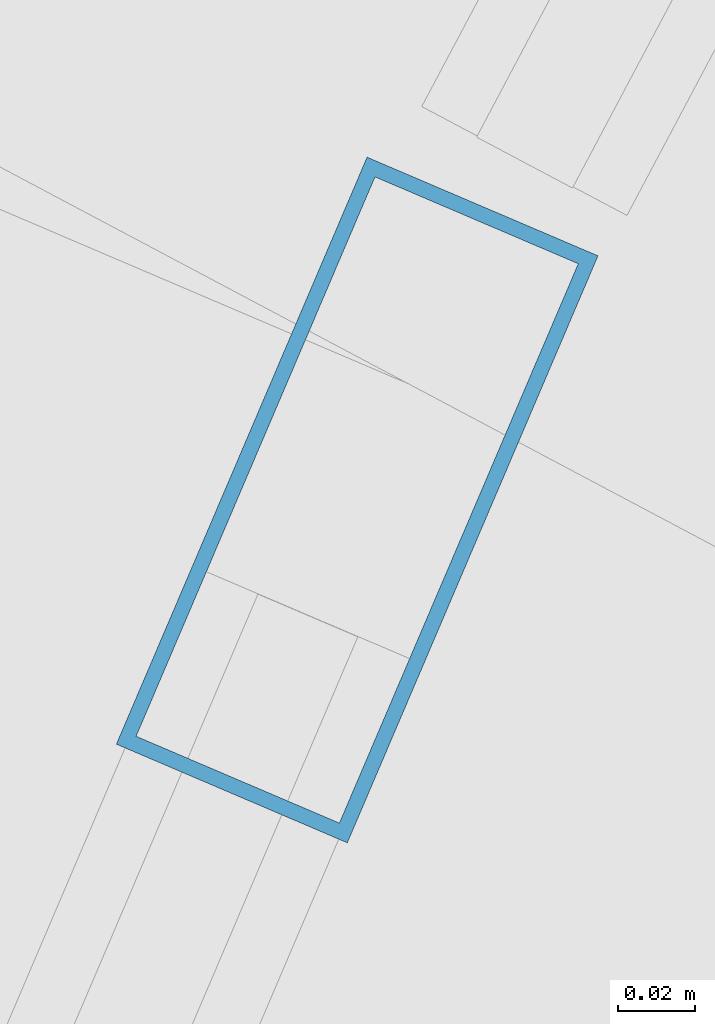
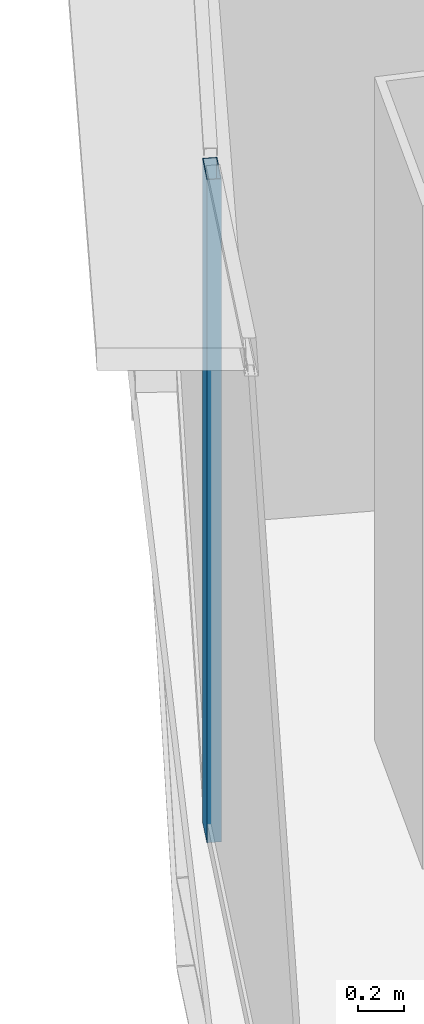
# One storey, part 8 of 41: 1 member, 1 element without a shape of its own.
"""IFC4 building model written with IfcOpenShell, lengths in metres."""

from ifc_helpers import new_model, si_unit, direction, frame, origin, origin_2d, place, context, subcontext, project, spatial, hollow_rectangle, extrude, source, transform, mapped, material, layer, layer_set, material_profile, profile_set, type_object, element, aggregate, save


model = new_model("IFC4")

# Units and contexts
model_context = context("Model", 3, precision=1e-05, world=origin(), true_north=direction((0.0, 1.0)))
body_context = subcontext(model_context, "Body", "Model", "MODEL_VIEW")
ifc_project = project(units=[si_unit("LENGTHUNIT", "METRE"), si_unit("AREAUNIT", "SQUARE_METRE"), si_unit("VOLUMEUNIT", "CUBIC_METRE"), si_unit("PLANEANGLEUNIT", "RADIAN"), si_unit("MASSUNIT", "GRAM", prefix="KILO"), si_unit("THERMODYNAMICTEMPERATUREUNIT", "KELVIN"), si_unit("POWERUNIT", "WATT")], contexts=[model_context])

# Site, building, storey
site_placement = place(None, origin())
site = spatial("IfcSite", under=ifc_project, at=site_placement, CompositionType="ELEMENT")
building_placement = place(site_placement, origin())
building = spatial("IfcBuilding", under=site, at=building_placement, Name="Yunzhuo Pagoda Commons", CompositionType="ELEMENT")
storey_placement = place(building_placement, frame((0.0, 0.0, 115.3798828125)))
storey = spatial("IfcBuildingStorey", under=building, at=storey_placement, Name="L29", CompositionType="ELEMENT", Elevation=115.3798828125)

# Curtain wall, member
ifc_material = material(Name="Anodized aluminium 6063-T6", Category="aluminium")
ifc_layer = layer(ifc_material, 0.1650390625)
ifc_layer_set = layer_set([ifc_layer], Name="Anodized aluminium 6063-T6")
curtain_wall_type = type_object("IfcCurtainWallType", Name="CW-LOW Low-Zone Ribbon Curtain Wall", PredefinedType="NOTDEFINED", material=ifc_layer_set)
curtain_wall_placement = place(storey_placement, origin())
curtain_wall = element("IfcCurtainWall", 1, at=curtain_wall_placement, inside=storey, type_object=curtain_wall_type, Name="L29 curtain wall CW-L29-F3B4", PredefinedType="NOTDEFINED")
ifc_material_profile = material_profile(ifc_material, hollow_rectangle(XDim=0.06494140625, YDim=0.1650390625, WallThickness=0.00390625, at=origin_2d()), Name="Anodized aluminium 6063-T6")
ifc_profile_set = profile_set([ifc_material_profile], Name="Anodized aluminium 6063-T6")
member_type = type_object("IfcMemberType", Name="CW-LOW-M Mullion RHS 165x65x4", PredefinedType="MULLION", material=ifc_profile_set)
shared_shape = source(origin(), body_context, "Body", "SweptSolid", [
    extrude(hollow_rectangle(XDim=0.06494140625, YDim=0.1650390625, WallThickness=0.00390625, at=origin_2d()), origin(), (0.0, 0.0, 1.0), 3.52001953125),
])
member_placement = place(storey_placement, frame((15.72900390625, 44.1513671875, 0.0), z_axis=(0.0, 0.0, 1.0), x_axis=(0.919648900825, -0.392741517046, 0.0)))
member = element("IfcMember", 2, at=member_placement, type_object=member_type, Name="CW mullion 1", PredefinedType="MULLION", context=body_context, shape_type="MappedRepresentation", body=[
    mapped(shared_shape, transform((0.0, 0.0, 0.0), scale=1.0)),
])
aggregate(curtain_wall, [member])

save(model, "model.ifc")
